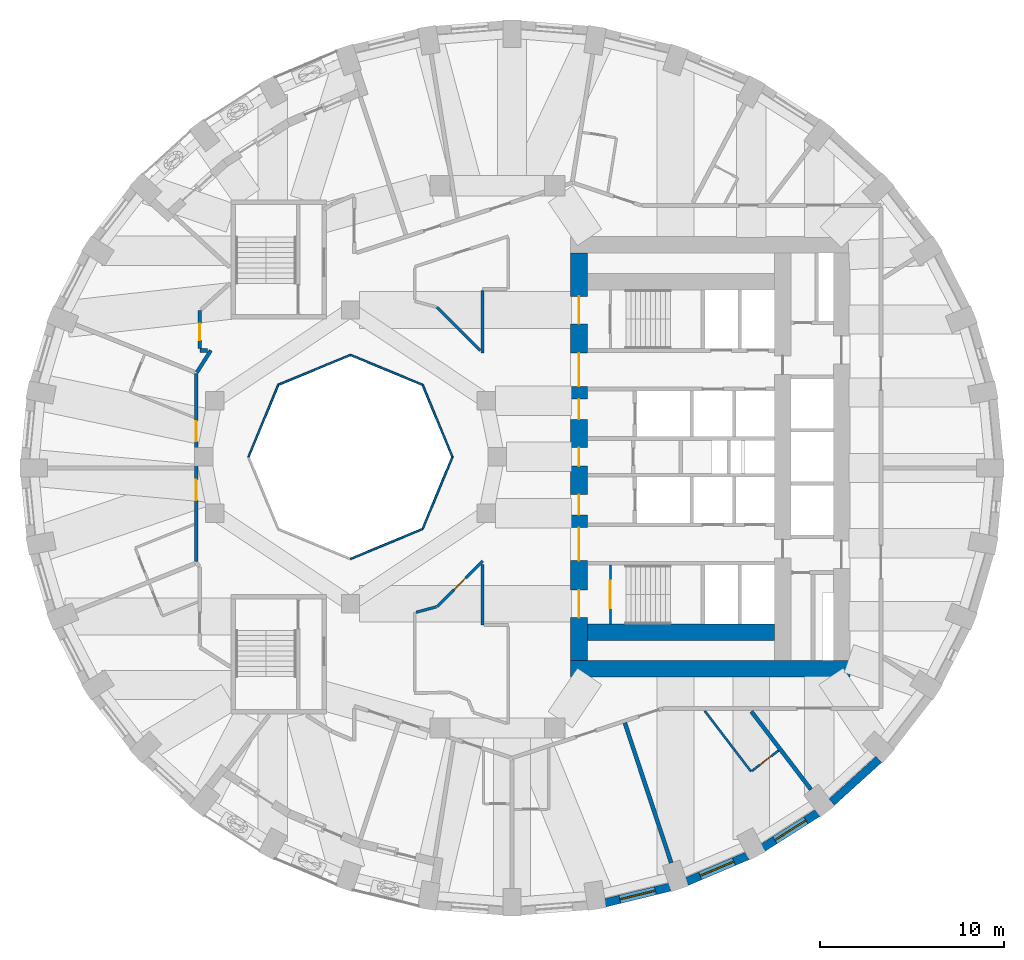
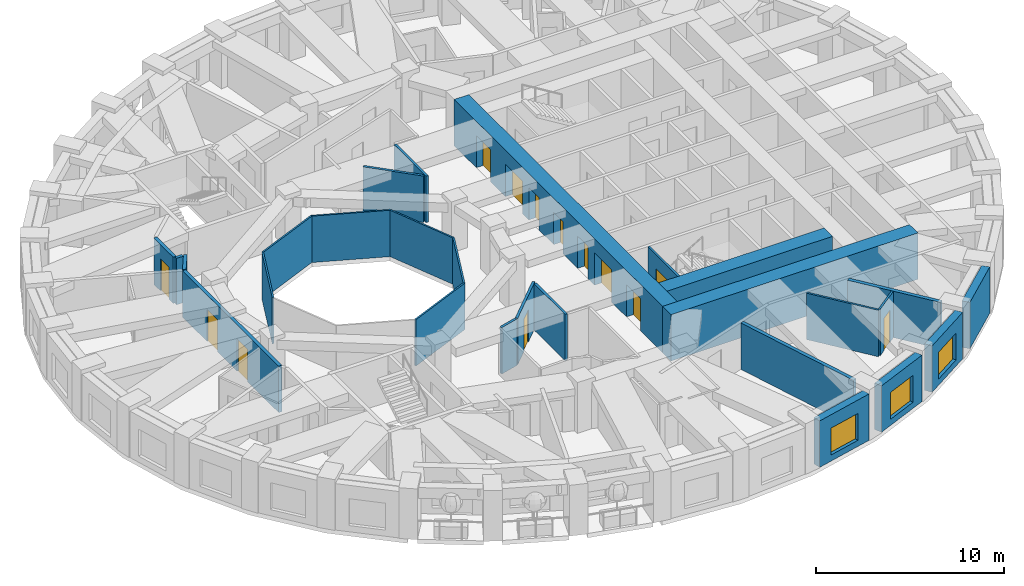
# One storey, part 5 of 12: 27 walls, 13 doors, 3 windows, 16 openings.
"""IFC4 building model written with IfcOpenShell, lengths in metres."""

from ifc_helpers import new_model, si_unit, direction, frame, frame_2d, origin, place, context, subcontext, project, spatial, rectangle, extrude, material, layer, layer_set, type_object, element, fill, save


model = new_model("IFC4")

# Units and contexts
model_context = context("Model", 3, precision=1e-05, world=origin(), true_north=direction((0.0, 1.0)))
body_context = subcontext(model_context, "Body", "Model", "MODEL_VIEW")
ifc_project = project(units=[si_unit("LENGTHUNIT", "METRE"), si_unit("AREAUNIT", "SQUARE_METRE"), si_unit("VOLUMEUNIT", "CUBIC_METRE"), si_unit("PLANEANGLEUNIT", "RADIAN"), si_unit("MASSUNIT", "GRAM", prefix="KILO")], contexts=[model_context])

# Site, building, storey
site_placement = place(None, origin())
site = spatial("IfcSite", under=ifc_project, at=site_placement, CompositionType="ELEMENT")
building_placement = place(site_placement, origin())
building = spatial("IfcBuilding", under=site, at=building_placement, Name="Taillehof Tower", CompositionType="ELEMENT")
storey_placement = place(building_placement, frame((0.0, 0.0, 118.60009765625)))
storey = spatial("IfcBuildingStorey", under=building, at=storey_placement, Name="L33", CompositionType="ELEMENT", Elevation=118.60009765625)

# Walls
ifc_material_1 = material(Name="Fire-resisting glass in steel frame", Category="steel")
ifc_layer_1 = layer(ifc_material_1, 0.10009765625)
ifc_layer_set_1 = layer_set([ifc_layer_1], Name="Atrium fire-resisting screen EI 60 100")
wall_type_1 = type_object("IfcWallType", Name="Atrium fire-resisting screen EI 60 100", PredefinedType="PARTITIONING", material=ifc_layer_set_1)
for number, where, z_axis, x_axis, name in (
    (1, (-2.44580078125, 0.0, 0.0), (0.0, 0.0, 1.0), (-0.382730523909, -0.923860025149, 0.0), "Atrium screen"),
    (2, (-4.07275390625, -3.92724609375, 0.0), (0.0, 0.0, 1.0), (-0.923860025149, -0.382730523909, 0.0), "Atrium screen"),
    (3, (-13.55419921875, 0.0, 0.0), (0.0, 0.0, 1.0), (0.382730523909, 0.923860025149, 0.0), "Atrium screen"),
    (4, (-11.92724609375, 3.92724609375, 0.0), (0.0, 0.0, 1.0), (0.923860025149, 0.382730523909, 0.0), "Atrium screen"),
    (5, (-8.0, 5.55419921875, 0.0), (0.0, 0.0, 1.0), (0.923860025149, -0.382730523909, 0.0), "Atrium screen"),
    (6, (-4.07275390625, 3.92724609375, 0.0), (0.0, 0.0, 1.0), (0.382730523909, -0.923860025149, 0.0), "Atrium screen"),
):
    element("IfcWall", number, at=place(storey_placement, frame(where, z_axis=z_axis, x_axis=x_axis)), inside=storey, type_object=wall_type_1, Name=name, PredefinedType="PARTITIONING", context=body_context, shape_type="SweptSolid", body=[
        extrude(rectangle(XDim=4.2509765625, YDim=0.10009765625, at=frame_2d((2.12548828125, 0.0))), origin(), (0.0, 0.0, 1.0), 3.02001953125),
    ])

# Wall, opening, window
ifc_material_2 = material(Name="Brick masonry", Category="masonry")
ifc_layer_2 = layer(ifc_material_2, 0.449951171875)
ifc_layer_set_2 = layer_set([ifc_layer_2], Name="Brick infill wall 450")
wall_type_2 = type_object("IfcWallType", Name="Brick infill wall 450", PredefinedType="SOLIDWALL", material=ifc_layer_set_2)
wall_1_placement = place(storey_placement, frame((5.87451171875, -24.29443359375, 0.0), z_axis=(0.0, 0.0, 1.0), x_axis=(0.971667603162, 0.236351579148, 0.0)))
wall_1 = element("IfcWall", 7, at=wall_1_placement, inside=storey, type_object=wall_type_2, Name="Brick wall L33 bay 29", PredefinedType="SOLIDWALL", context=body_context, shape_type="SweptSolid", body=[
    extrude(rectangle(XDim=3.635009765625, YDim=0.449951171875, at=frame_2d((1.8173828125, 0.0))), origin(), (0.0, 0.0, 1.0), 3.02001953125),
])
opening_1_placement = place(wall_1_placement, frame((0.8173828125, 0.0, 0.39990234375)))
opening_1 = element("IfcOpeningElement", 8, at=opening_1_placement, cuts=wall_1, Name="Opening W2", PredefinedType="OPENING", context=body_context, shape_type="SweptSolid", body=[
    extrude(rectangle(XDim=2.0, YDim=1.75, at=frame_2d((1.0, 0.875))), frame((0.0, 0.23486328125, 0.0), z_axis=(0.0, -1.0, 0.0), x_axis=(1.0, 0.0, 0.0)), (0.0, 0.0, 1.0), 0.469970703125),
])
ifc_material_3 = material(Name="Aluminium window frame with clear double glazing", Category="aluminium")
window_type = type_object("IfcWindowType", Name="Deep-set window 2000x1750", PartitioningType="SINGLE_PANEL", PredefinedType="WINDOW", material=ifc_material_3)
window_1_placement = place(opening_1_placement, origin())
window_1 = element("IfcWindow", 9, at=window_1_placement, inside=storey, type_object=window_type, Name="W2", OverallHeight=1.75, OverallWidth=2.0, PartitioningType="SINGLE_PANEL", PredefinedType="WINDOW", context=body_context, shape_type="SweptSolid", body=[
    extrude(rectangle(XDim=2.0, YDim=1.75, at=frame_2d((1.0, 0.875))), frame((0.0, 0.034912109375, 0.0), z_axis=(0.0, -1.0, 0.0), x_axis=(1.0, 0.0, 0.0)), (0.0, 0.0, 1.0), 0.06005859375),
])
fill(opening_1, window_1)

wall_2_placement = place(storey_placement, frame((10.318115234375, -23.133544921875, 0.0), z_axis=(0.0, 0.0, 1.0), x_axis=(0.920869643542, 0.389870619055, 0.0)))
wall_2 = element("IfcWall", 10, at=wall_2_placement, inside=storey, type_object=wall_type_2, Name="Brick wall L33 bay 30", PredefinedType="SOLIDWALL", context=body_context, shape_type="SweptSolid", body=[
    extrude(rectangle(XDim=3.59130859375, YDim=0.449951171875, at=frame_2d((1.795654296875, 0.0))), origin(), (0.0, 0.0, 1.0), 3.02001953125),
])
opening_2_placement = place(wall_2_placement, frame((0.795654296875, 0.0, 0.39990234375)))
opening_2 = element("IfcOpeningElement", 11, at=opening_2_placement, cuts=wall_2, Name="Opening W2", PredefinedType="OPENING", context=body_context, shape_type="SweptSolid", body=[
    extrude(rectangle(XDim=2.0, YDim=1.75, at=frame_2d((1.0, 0.875))), frame((0.0, 0.23486328125, 0.0), z_axis=(0.0, -1.0, 0.0), x_axis=(1.0, 0.0, 0.0)), (0.0, 0.0, 1.0), 0.469970703125),
])
window_2_placement = place(opening_2_placement, origin())
window_2 = element("IfcWindow", 12, at=window_2_placement, inside=storey, type_object=window_type, Name="W2", OverallHeight=1.75, OverallWidth=2.0, PartitioningType="SINGLE_PANEL", PredefinedType="WINDOW", context=body_context, shape_type="SweptSolid", body=[
    extrude(rectangle(XDim=2.0, YDim=1.75, at=frame_2d((1.0, 0.875))), frame((0.0, 0.034912109375, 0.0), z_axis=(0.0, -1.0, 0.0), x_axis=(1.0, 0.0, 0.0)), (0.0, 0.0, 1.0), 0.06005859375),
])
fill(opening_2, window_2)

wall_3_placement = place(storey_placement, frame((14.475341796875, -21.287109375, 0.0), z_axis=(0.0, 0.0, 1.0), x_axis=(0.843911841423, 0.536481876587, 0.0)))
wall_3 = element("IfcWall", 13, at=wall_3_placement, inside=storey, type_object=wall_type_2, Name="Brick wall L33 bay 31", PredefinedType="SOLIDWALL", context=body_context, shape_type="SweptSolid", body=[
    extrude(rectangle(XDim=3.5322265625, YDim=0.449951171875, at=frame_2d((1.76611328125, 0.0))), origin(), (0.0, 0.0, 1.0), 3.02001953125),
])
opening_3_placement = place(wall_3_placement, frame((0.76611328125, 0.0, 0.39990234375)))
opening_3 = element("IfcOpeningElement", 14, at=opening_3_placement, cuts=wall_3, Name="Opening W2", PredefinedType="OPENING", context=body_context, shape_type="SweptSolid", body=[
    extrude(rectangle(XDim=2.0, YDim=1.75, at=frame_2d((1.0, 0.875))), frame((0.0, 0.23486328125, 0.0), z_axis=(0.0, -1.0, 0.0), x_axis=(1.0, 0.0, 0.0)), (0.0, 0.0, 1.0), 0.469970703125),
])
window_3_placement = place(opening_3_placement, origin())
window_3 = element("IfcWindow", 15, at=window_3_placement, inside=storey, type_object=window_type, Name="W2", OverallHeight=1.75, OverallWidth=2.0, PartitioningType="SINGLE_PANEL", PredefinedType="WINDOW", context=body_context, shape_type="SweptSolid", body=[
    extrude(rectangle(XDim=2.0, YDim=1.75, at=frame_2d((1.0, 0.875))), frame((0.0, 0.034912109375, 0.0), z_axis=(0.0, -1.0, 0.0), x_axis=(1.0, 0.0, 0.0)), (0.0, 0.0, 1.0), 0.06005859375),
])
fill(opening_3, window_3)

# Wall
wall_4_placement = place(storey_placement, frame((18.219482421875, -18.8095703125, 0.0), z_axis=(0.0, 0.0, 1.0), x_axis=(0.740364106106, 0.672206062446, 0.0)))
element("IfcWall", 16, at=wall_4_placement, inside=storey, type_object=wall_type_2, Name="Brick wall L33 bay 32", PredefinedType="SOLIDWALL", context=body_context, shape_type="SweptSolid", body=[
    extrude(rectangle(XDim=3.4638671875, YDim=0.449951171875, at=frame_2d((1.73193359375, 0.0))), origin(), (0.0, 0.0, 1.0), 3.02001953125),
])

# Wall, openings, doors
ifc_material_4 = material(Name="Gypsum board on steel studs, two layers each side", Category="steel")
ifc_layer_3 = layer(ifc_material_4, 0.199951171875)
ifc_layer_set_3 = layer_set([ifc_layer_3], Name="Compartment wall corridor 200")
wall_type_3 = type_object("IfcWallType", Name="Compartment wall corridor 200", PredefinedType="PARTITIONING", material=ifc_layer_set_3)
wall_5_placement = place(storey_placement, frame((-16.398193359375, -5.69287109375, 0.0), z_axis=(0.0, 0.0, 1.0), x_axis=(0.0, 1.0, 0.0)))
wall_5 = element("IfcWall", 17, at=wall_5_placement, inside=storey, type_object=wall_type_3, Name="Compartment wall", PredefinedType="PARTITIONING", context=body_context, shape_type="SweptSolid", body=[
    extrude(rectangle(XDim=10.245849609375, YDim=0.199951171875, at=frame_2d((5.123046875, 0.0))), origin(), (0.0, 0.0, 1.0), 3.02001953125),
])
opening_4_placement = place(wall_5_placement, frame((6.53857421875, 0.0, 0.0)))
opening_4 = element("IfcOpeningElement", 18, at=opening_4_placement, cuts=wall_5, Name="Opening D3348", PredefinedType="OPENING", context=body_context, shape_type="SweptSolid", body=[
    extrude(rectangle(XDim=1.10009765625, YDim=2.10009765625, at=frame_2d((0.550048828125, 1.050048828125))), frame((0.0, 0.10986328125, 0.0), z_axis=(0.0, -1.0, 0.0), x_axis=(1.0, 0.0, 0.0)), (0.0, 0.0, 1.0), 0.219970703125),
])
opening_5_placement = place(wall_5_placement, frame((3.33740234375, 0.0, 0.0)))
opening_5 = element("IfcOpeningElement", 19, at=opening_5_placement, cuts=wall_5, Name="Opening D3350", PredefinedType="OPENING", context=body_context, shape_type="SweptSolid", body=[
    extrude(rectangle(XDim=1.10009765625, YDim=2.10009765625, at=frame_2d((0.550048828125, 1.050048828125))), frame((0.0, 0.10986328125, 0.0), z_axis=(0.0, -1.0, 0.0), x_axis=(1.0, 0.0, 0.0)), (0.0, 0.0, 1.0), 0.219970703125),
])
ifc_material_5 = material(Name="Timber door leaf in steel frame", Category="steel")
door_type_1 = type_object("IfcDoorType", Name="Accessible guest room door EI 30 1100 x 2100", OperationType="SINGLE_SWING_LEFT", PredefinedType="DOOR", material=ifc_material_5)
door_1_placement = place(opening_4_placement, origin())
door_1 = element("IfcDoor", 20, at=door_1_placement, inside=storey, type_object=door_type_1, Name="D3348", OperationType="SINGLE_SWING_RIGHT", OverallHeight=2.10009765625, OverallWidth=1.10009765625, PredefinedType="DOOR", context=body_context, shape_type="SweptSolid", body=[
    extrude(rectangle(XDim=1.10009765625, YDim=2.10009765625, at=frame_2d((0.550048828125, 1.050048828125))), frame((0.0, 0.02490234375, 0.0), z_axis=(0.0, -1.0, 0.0), x_axis=(1.0, 0.0, 0.0)), (0.0, 0.0, 1.0), 0.050048828125),
])
fill(opening_4, door_1)
ifc_material_6 = material(Name="Timber door leaf in steel frame", Category="steel")
door_type_2 = type_object("IfcDoorType", Name="Suite entrance door EI 30 1100 x 2100", OperationType="SINGLE_SWING_LEFT", PredefinedType="DOOR", material=ifc_material_6)
door_2_placement = place(opening_5_placement, origin())
door_2 = element("IfcDoor", 21, at=door_2_placement, inside=storey, type_object=door_type_2, Name="D3350", OperationType="SINGLE_SWING_RIGHT", OverallHeight=2.10009765625, OverallWidth=1.10009765625, PredefinedType="DOOR", context=body_context, shape_type="SweptSolid", body=[
    extrude(rectangle(XDim=1.10009765625, YDim=2.10009765625, at=frame_2d((0.550048828125, 1.050048828125))), frame((0.0, 0.02490234375, 0.0), z_axis=(0.0, -1.0, 0.0), x_axis=(1.0, 0.0, 0.0)), (0.0, 0.0, 1.0), 0.050048828125),
])
fill(opening_5, door_2)

# Walls
wall_6_placement = place(storey_placement, frame((-16.365966796875, 4.603515625, 0.0), z_axis=(0.0, 0.0, 1.0), x_axis=(0.536775234189, 0.843725279911, 0.0)))
element("IfcWall", 22, at=wall_6_placement, inside=storey, type_object=wall_type_3, Name="Compartment wall", PredefinedType="PARTITIONING", context=body_context, shape_type="SweptSolid", body=[
    extrude(rectangle(XDim=1.418212890625, YDim=0.199951171875, at=frame_2d((0.708984375, 0.0))), origin(), (0.0, 0.0, 1.0), 3.02001953125),
])
wall_7_placement = place(storey_placement, frame((-15.784912109375, 5.800048828125, 0.0), z_axis=(0.0, 0.0, 1.0), x_axis=(-1.0, 0.0, 0.0)))
element("IfcWall", 23, at=wall_7_placement, inside=storey, type_object=wall_type_3, Name="Compartment wall", PredefinedType="PARTITIONING", context=body_context, shape_type="SweptSolid", body=[
    extrude(rectangle(XDim=0.4150390625, YDim=0.199951171875, at=frame_2d((0.20751953125, 0.0))), origin(), (0.0, 0.0, 1.0), 3.02001953125),
])

# Wall, opening, door
wall_8_placement = place(storey_placement, frame((-16.199951171875, 5.900146484375, 0.0), z_axis=(0.0, 0.0, 1.0), x_axis=(0.0, 1.0, 0.0)))
wall_8 = element("IfcWall", 24, at=wall_8_placement, inside=storey, type_object=wall_type_3, Name="Compartment wall", PredefinedType="PARTITIONING", context=body_context, shape_type="SweptSolid", body=[
    extrude(rectangle(XDim=2.064697265625, YDim=0.199951171875, at=frame_2d((1.0322265625, 0.0))), origin(), (0.0, 0.0, 1.0), 3.02001953125),
])
opening_6_placement = place(wall_8_placement, frame((0.461669921875, 0.0, 0.0)))
opening_6 = element("IfcOpeningElement", 25, at=opening_6_placement, cuts=wall_8, Name="Opening D3347", PredefinedType="OPENING", context=body_context, shape_type="SweptSolid", body=[
    extrude(rectangle(XDim=0.89990234375, YDim=2.10009765625, at=frame_2d((0.449951171875, 1.050048828125))), frame((0.0, 0.10986328125, 0.0), z_axis=(0.0, -1.0, 0.0), x_axis=(1.0, 0.0, 0.0)), (0.0, 0.0, 1.0), 0.219970703125),
])
ifc_material_7 = material(Name="Timber door leaf in steel frame", Category="steel")
door_type_3 = type_object("IfcDoorType", Name="Service room door EI 30 900 x 2100", OperationType="SINGLE_SWING_LEFT", PredefinedType="DOOR", material=ifc_material_7)
door_3_placement = place(opening_6_placement, origin())
door_3 = element("IfcDoor", 26, at=door_3_placement, inside=storey, type_object=door_type_3, Name="D3347", OperationType="SINGLE_SWING_LEFT", OverallHeight=2.10009765625, OverallWidth=0.89990234375, PredefinedType="DOOR", context=body_context, shape_type="SweptSolid", body=[
    extrude(rectangle(XDim=0.89990234375, YDim=2.10009765625, at=frame_2d((0.449951171875, 1.050048828125))), frame((0.0, 0.02490234375, 0.0), z_axis=(0.0, -1.0, 0.0), x_axis=(1.0, 0.0, 0.0)), (0.0, 0.0, 1.0), 0.050048828125),
])
fill(opening_6, door_3)

# Walls
ifc_material_8 = material(Name="Gypsum board on double steel studs with mineral wool", Category="steel")
ifc_layer_4 = layer(ifc_material_8, 0.219970703125)
ifc_layer_set_4 = layer_set([ifc_layer_4], Name="Compartment wall guest room 220")
wall_type_4 = type_object("IfcWallType", Name="Compartment wall guest room 220", PredefinedType="PARTITIONING", material=ifc_layer_set_4)
wall_9_placement = place(storey_placement, frame((9.4736328125, -22.11181640625, 0.0), z_axis=(0.0, 0.0, 1.0), x_axis=(-0.314531362585, 0.949247081613, 0.0)))
element("IfcWall", 27, at=wall_9_placement, inside=storey, type_object=wall_type_4, Name="Compartment wall", PredefinedType="PARTITIONING", context=body_context, shape_type="SweptSolid", body=[
    extrude(rectangle(XDim=8.032958984375, YDim=0.219970703125, at=frame_2d((4.0166015625, 0.0))), origin(), (0.0, 0.0, 1.0), 3.02001953125),
])
wall_10_placement = place(storey_placement, frame((17.08935546875, -18.120849609375, 0.0), z_axis=(0.0, 0.0, 1.0), x_axis=(-0.607049146133, 0.794664290238, 0.0)))
element("IfcWall", 28, at=wall_10_placement, inside=storey, type_object=wall_type_4, Name="Compartment wall", PredefinedType="PARTITIONING", context=body_context, shape_type="SweptSolid", body=[
    extrude(rectangle(XDim=5.357421875, YDim=0.219970703125, at=frame_2d((2.6787109375, 0.0))), origin(), (0.0, 0.0, 1.0), 3.02001953125),
])
ifc_material_9 = material(Name="Gypsum board on steel studs, two layers each side", Category="steel")
ifc_layer_5 = layer(ifc_material_9, 0.14990234375)
ifc_layer_set_5 = layer_set([ifc_layer_5], Name="Compartment wall service room 150")
wall_type_5 = type_object("IfcWallType", Name="Compartment wall service room 150", PredefinedType="PARTITIONING", material=ifc_layer_set_5)
wall_11_placement = place(storey_placement, frame((-0.800048828125, 9.06982421875, 0.0), z_axis=(0.0, 0.0, 1.0), x_axis=(0.0, -1.0, 0.0)))
element("IfcWall", 29, at=wall_11_placement, inside=storey, type_object=wall_type_5, Name="Compartment wall", PredefinedType="PARTITIONING", context=body_context, shape_type="SweptSolid", body=[
    extrude(rectangle(XDim=3.400390625, YDim=0.14990234375, at=frame_2d((1.7001953125, 0.0))), origin(), (0.0, 0.0, 1.0), 3.02001953125),
])
wall_12_placement = place(storey_placement, frame((-0.927490234375, 5.796875, 0.0), z_axis=(0.0, 0.0, 1.0), x_axis=(-0.707106781187, 0.707106781187, 0.0)))
element("IfcWall", 30, at=wall_12_placement, inside=storey, type_object=wall_type_5, Name="Compartment wall", PredefinedType="PARTITIONING", context=body_context, shape_type="SweptSolid", body=[
    extrude(rectangle(XDim=3.340576171875, YDim=0.14990234375, at=frame_2d((1.67041015625, 0.0))), origin(), (0.0, 0.0, 1.0), 3.02001953125),
])

# Wall, opening, door
wall_13_placement = place(storey_placement, frame((-3.28955078125, -8.158935546875, 0.0), z_axis=(0.0, 0.0, 1.0), x_axis=(0.707106781187, 0.707106781187, 0.0)))
wall_13 = element("IfcWall", 31, at=wall_13_placement, inside=storey, type_object=wall_type_5, Name="Compartment wall", PredefinedType="PARTITIONING", context=body_context, shape_type="SweptSolid", body=[
    extrude(rectangle(XDim=3.520751953125, YDim=0.14990234375, at=frame_2d((1.76025390625, 0.0))), origin(), (0.0, 0.0, 1.0), 3.02001953125),
])
opening_7_placement = place(wall_13_placement, frame((1.310302734375, 0.0, 0.0)))
opening_7 = element("IfcOpeningElement", 32, at=opening_7_placement, cuts=wall_13, Name="Opening D3367", PredefinedType="OPENING", context=body_context, shape_type="SweptSolid", body=[
    extrude(rectangle(XDim=0.89990234375, YDim=2.10009765625, at=frame_2d((0.449951171875, 1.050048828125))), frame((0.0, 0.0849609375, 0.0), z_axis=(0.0, -1.0, 0.0), x_axis=(1.0, 0.0, 0.0)), (0.0, 0.0, 1.0), 0.169921875),
])
door_4_placement = place(opening_7_placement, origin())
door_4 = element("IfcDoor", 33, at=door_4_placement, inside=storey, type_object=door_type_3, Name="D3367", OperationType="SINGLE_SWING_LEFT", OverallHeight=2.10009765625, OverallWidth=0.89990234375, PredefinedType="DOOR", context=body_context, shape_type="SweptSolid", body=[
    extrude(rectangle(XDim=0.89990234375, YDim=2.10009765625, at=frame_2d((0.449951171875, 1.050048828125))), frame((0.0, 0.02490234375, 0.0), z_axis=(0.0, -1.0, 0.0), x_axis=(1.0, 0.0, 0.0)), (0.0, 0.0, 1.0), 0.050048828125),
])
fill(opening_7, door_4)

# Walls
wall_14_placement = place(storey_placement, frame((-0.800048828125, -5.849609375, 0.0), z_axis=(0.0, 0.0, 1.0), x_axis=(0.0, -1.0, 0.0)))
element("IfcWall", 34, at=wall_14_placement, inside=storey, type_object=wall_type_5, Name="Compartment wall", PredefinedType="PARTITIONING", context=body_context, shape_type="SweptSolid", body=[
    extrude(rectangle(XDim=3.30029296875, YDim=0.14990234375, at=frame_2d((1.650146484375, 0.0))), origin(), (0.0, 0.0, 1.0), 3.02001953125),
])
wall_15_placement = place(storey_placement, frame((-4.4228515625, -8.462646484375, 0.0), z_axis=(0.0, 0.0, 1.0), x_axis=(0.965898042479, 0.258922713439, 0.0)))
element("IfcWall", 35, at=wall_15_placement, inside=storey, type_object=wall_type_5, Name="Compartment wall", PredefinedType="PARTITIONING", context=body_context, shape_type="SweptSolid", body=[
    extrude(rectangle(XDim=1.13330078125, YDim=0.14990234375, at=frame_2d((0.566650390625, 0.0))), origin(), (0.0, 0.0, 1.0), 3.02001953125),
])

# Wall, openings, doors
ifc_material_10 = material(Name="Concrete C80/95", Category="concrete")
ifc_layer_6 = layer(ifc_material_10, 0.89990234375)
ifc_layer_set_6 = layer_set([ifc_layer_6], Name="Core wall C80/95 900")
wall_type_6 = type_object("IfcWallType", Name="Core wall C80/95 900", PredefinedType="SHEAR", material=ifc_layer_set_6)
wall_16_placement = place(storey_placement, frame((4.449951171875, -11.10009765625, 0.0), z_axis=(0.0, 0.0, 1.0), x_axis=(0.0, 1.0, 0.0)))
wall_16 = element("IfcWall", 36, at=wall_16_placement, inside=storey, type_object=wall_type_6, Name="Core wall CW01", PredefinedType="SHEAR", context=body_context, shape_type="SweptSolid", body=[
    extrude(rectangle(XDim=22.2001953125, YDim=0.89990234375, at=frame_2d((11.10009765625, 0.0))), origin(), (0.0, 0.0, 1.0), 3.02001953125),
])
opening_8_placement = place(wall_16_placement, frame((2.35009765625, 0.0, 0.0)))
opening_8 = element("IfcOpeningElement", 37, at=opening_8_placement, cuts=wall_16, Name="Opening D3301", PredefinedType="OPENING", context=body_context, shape_type="SweptSolid", body=[
    extrude(rectangle(XDim=1.5, YDim=2.10009765625, at=frame_2d((0.75, 1.050048828125))), frame((0.0, 0.4599609375, 0.0), z_axis=(0.0, -1.0, 0.0), x_axis=(1.0, 0.0, 0.0)), (0.0, 0.0, 1.0), 0.919921875),
])
opening_9_placement = place(wall_16_placement, frame((5.449951171875, 0.0, 0.0)))
opening_9 = element("IfcOpeningElement", 38, at=opening_9_placement, cuts=wall_16, Name="Opening D3302", PredefinedType="OPENING", context=body_context, shape_type="SweptSolid", body=[
    extrude(rectangle(XDim=1.800048828125, YDim=2.10009765625, at=frame_2d((0.89990234375, 1.050048828125))), frame((0.0, 0.4599609375, 0.0), z_axis=(0.0, -1.0, 0.0), x_axis=(1.0, 0.0, 0.0)), (0.0, 0.0, 1.0), 0.919921875),
])
opening_10_placement = place(wall_16_placement, frame((7.949951171875, 0.0, 0.0)))
opening_10 = element("IfcOpeningElement", 39, at=opening_10_placement, cuts=wall_16, Name="Opening D3303", PredefinedType="OPENING", context=body_context, shape_type="SweptSolid", body=[
    extrude(rectangle(XDim=1.10009765625, YDim=2.10009765625, at=frame_2d((0.550048828125, 1.050048828125))), frame((0.0, 0.4599609375, 0.0), z_axis=(0.0, -1.0, 0.0), x_axis=(1.0, 0.0, 0.0)), (0.0, 0.0, 1.0), 0.919921875),
])
opening_11_placement = place(wall_16_placement, frame((10.60009765625, 0.0, 0.0)))
opening_11 = element("IfcOpeningElement", 40, at=opening_11_placement, cuts=wall_16, Name="Opening D3304", PredefinedType="OPENING", context=body_context, shape_type="SweptSolid", body=[
    extrude(rectangle(XDim=1.0, YDim=2.10009765625, at=frame_2d((0.5, 1.050048828125))), frame((0.0, 0.4599609375, 0.0), z_axis=(0.0, -1.0, 0.0), x_axis=(1.0, 0.0, 0.0)), (0.0, 0.0, 1.0), 0.919921875),
])
opening_12_placement = place(wall_16_placement, frame((13.14990234375, 0.0, 0.0)))
opening_12 = element("IfcOpeningElement", 41, at=opening_12_placement, cuts=wall_16, Name="Opening D3305", PredefinedType="OPENING", context=body_context, shape_type="SweptSolid", body=[
    extrude(rectangle(XDim=1.10009765625, YDim=2.10009765625, at=frame_2d((0.550048828125, 1.050048828125))), frame((0.0, 0.4599609375, 0.0), z_axis=(0.0, -1.0, 0.0), x_axis=(1.0, 0.0, 0.0)), (0.0, 0.0, 1.0), 0.919921875),
])
opening_13_placement = place(wall_16_placement, frame((14.949951171875, 0.0, 0.0)))
opening_13 = element("IfcOpeningElement", 42, at=opening_13_placement, cuts=wall_16, Name="Opening D3306", PredefinedType="OPENING", context=body_context, shape_type="SweptSolid", body=[
    extrude(rectangle(XDim=1.800048828125, YDim=2.10009765625, at=frame_2d((0.89990234375, 1.050048828125))), frame((0.0, 0.4599609375, 0.0), z_axis=(0.0, -1.0, 0.0), x_axis=(1.0, 0.0, 0.0)), (0.0, 0.0, 1.0), 0.919921875),
])
opening_14_placement = place(wall_16_placement, frame((18.35009765625, 0.0, 0.0)))
opening_14 = element("IfcOpeningElement", 43, at=opening_14_placement, cuts=wall_16, Name="Opening D3307", PredefinedType="OPENING", context=body_context, shape_type="SweptSolid", body=[
    extrude(rectangle(XDim=1.5, YDim=2.10009765625, at=frame_2d((0.75, 1.050048828125))), frame((0.0, 0.4599609375, 0.0), z_axis=(0.0, -1.0, 0.0), x_axis=(1.0, 0.0, 0.0)), (0.0, 0.0, 1.0), 0.919921875),
])
ifc_material_11 = material(Name="Steel-faced fire door", Category="steel")
door_type_4 = type_object("IfcDoorType", Name="Firefighting lobby door 1100x2100", OperationType="SINGLE_SWING_RIGHT", PredefinedType="DOOR", material=ifc_material_11)
door_5_placement = place(opening_10_placement, origin())
door_5 = element("IfcDoor", 44, at=door_5_placement, inside=storey, type_object=door_type_4, Name="Firefighting lobby door FFL-S", OperationType="SINGLE_SWING_RIGHT", OverallHeight=2.10009765625, OverallWidth=1.10009765625, PredefinedType="DOOR", context=body_context, shape_type="SweptSolid", body=[
    extrude(rectangle(XDim=1.10009765625, YDim=2.10009765625, at=frame_2d((0.550048828125, 1.050048828125))), frame((0.0, 0.02490234375, 0.0), z_axis=(0.0, -1.0, 0.0), x_axis=(1.0, 0.0, 0.0)), (0.0, 0.0, 1.0), 0.050048828125),
])
fill(opening_10, door_5)
door_6_placement = place(opening_12_placement, origin())
door_6 = element("IfcDoor", 45, at=door_6_placement, inside=storey, type_object=door_type_4, Name="Firefighting lobby door FFL-N", OperationType="SINGLE_SWING_LEFT", OverallHeight=2.10009765625, OverallWidth=1.10009765625, PredefinedType="DOOR", context=body_context, shape_type="SweptSolid", body=[
    extrude(rectangle(XDim=1.10009765625, YDim=2.10009765625, at=frame_2d((0.550048828125, 1.050048828125))), frame((0.0, 0.02490234375, 0.0), z_axis=(0.0, -1.0, 0.0), x_axis=(1.0, 0.0, 0.0)), (0.0, 0.0, 1.0), 0.050048828125),
])
fill(opening_12, door_6)
ifc_material_12 = material(Name="Steel-faced fire door", Category="steel")
door_type_5 = type_object("IfcDoorType", Name="Lift lobby door 1800x2100", OperationType="DOUBLE_DOOR_SINGLE_SWING", PredefinedType="DOOR", material=ifc_material_12)
door_7_placement = place(opening_9_placement, origin())
door_7 = element("IfcDoor", 46, at=door_7_placement, inside=storey, type_object=door_type_5, Name="Lift lobby door LL-S", OperationType="DOUBLE_DOOR_SINGLE_SWING", OverallHeight=2.10009765625, OverallWidth=1.800048828125, PredefinedType="DOOR", context=body_context, shape_type="SweptSolid", body=[
    extrude(rectangle(XDim=1.800048828125, YDim=2.10009765625, at=frame_2d((0.89990234375, 1.050048828125))), frame((0.0, 0.02490234375, 0.0), z_axis=(0.0, -1.0, 0.0), x_axis=(1.0, 0.0, 0.0)), (0.0, 0.0, 1.0), 0.050048828125),
])
fill(opening_9, door_7)
door_8_placement = place(opening_13_placement, origin())
door_8 = element("IfcDoor", 47, at=door_8_placement, inside=storey, type_object=door_type_5, Name="Lift lobby door LL-N", OperationType="DOUBLE_DOOR_SINGLE_SWING", OverallHeight=2.10009765625, OverallWidth=1.800048828125, PredefinedType="DOOR", context=body_context, shape_type="SweptSolid", body=[
    extrude(rectangle(XDim=1.800048828125, YDim=2.10009765625, at=frame_2d((0.89990234375, 1.050048828125))), frame((0.0, 0.02490234375, 0.0), z_axis=(0.0, -1.0, 0.0), x_axis=(1.0, 0.0, 0.0)), (0.0, 0.0, 1.0), 0.050048828125),
])
fill(opening_13, door_8)
ifc_material_13 = material(Name="Steel-faced fire door", Category="steel")
door_type_6 = type_object("IfcDoorType", Name="Service door 1000x2100", OperationType="SINGLE_SWING_RIGHT", PredefinedType="DOOR", material=ifc_material_13)
door_9_placement = place(opening_11_placement, origin())
door_9 = element("IfcDoor", 48, at=door_9_placement, inside=storey, type_object=door_type_6, Name="Service door SV", OperationType="SINGLE_SWING_RIGHT", OverallHeight=2.10009765625, OverallWidth=1.0, PredefinedType="DOOR", context=body_context, shape_type="SweptSolid", body=[
    extrude(rectangle(XDim=1.0, YDim=2.10009765625, at=frame_2d((0.5, 1.050048828125))), frame((0.0, 0.02490234375, 0.0), z_axis=(0.0, -1.0, 0.0), x_axis=(1.0, 0.0, 0.0)), (0.0, 0.0, 1.0), 0.050048828125),
])
fill(opening_11, door_9)
ifc_material_14 = material(Name="Steel-faced fire door", Category="steel")
door_type_7 = type_object("IfcDoorType", Name="Stair door 1500x2100", OperationType="DOUBLE_DOOR_SINGLE_SWING", PredefinedType="DOOR", material=ifc_material_14)
door_10_placement = place(opening_8_placement, origin())
door_10 = element("IfcDoor", 49, at=door_10_placement, inside=storey, type_object=door_type_7, Name="Stair door S2", OperationType="DOUBLE_DOOR_SINGLE_SWING", OverallHeight=2.10009765625, OverallWidth=1.5, PredefinedType="DOOR", context=body_context, shape_type="SweptSolid", body=[
    extrude(rectangle(XDim=1.5, YDim=2.10009765625, at=frame_2d((0.75, 1.050048828125))), frame((0.0, 0.02490234375, 0.0), z_axis=(0.0, -1.0, 0.0), x_axis=(1.0, 0.0, 0.0)), (0.0, 0.0, 1.0), 0.050048828125),
])
fill(opening_8, door_10)
door_11_placement = place(opening_14_placement, origin())
door_11 = element("IfcDoor", 50, at=door_11_placement, inside=storey, type_object=door_type_7, Name="Stair door S1", OperationType="DOUBLE_DOOR_SINGLE_SWING", OverallHeight=2.10009765625, OverallWidth=1.5, PredefinedType="DOOR", context=body_context, shape_type="SweptSolid", body=[
    extrude(rectangle(XDim=1.5, YDim=2.10009765625, at=frame_2d((0.75, 1.050048828125))), frame((0.0, 0.02490234375, 0.0), z_axis=(0.0, -1.0, 0.0), x_axis=(1.0, 0.0, 0.0)), (0.0, 0.0, 1.0), 0.050048828125),
])
fill(opening_14, door_11)

# Walls
wall_17_placement = place(storey_placement, frame((4.0, -11.550048828125, 0.0), z_axis=(0.0, 0.0, 1.0), x_axis=(1.0, 0.0, 0.0)))
element("IfcWall", 51, at=wall_17_placement, inside=storey, type_object=wall_type_6, Name="Core wall CW04", PredefinedType="SHEAR", context=body_context, shape_type="SweptSolid", body=[
    extrude(rectangle(XDim=15.199951171875, YDim=0.89990234375, at=frame_2d((7.60009765625, 0.0))), origin(), (0.0, 0.0, 1.0), 3.02001953125),
])
wall_18_placement = place(storey_placement, frame((4.89990234375, -9.550048828125, 0.0), z_axis=(0.0, 0.0, 1.0), x_axis=(1.0, 0.0, 0.0)))
element("IfcWall", 52, at=wall_18_placement, inside=storey, type_object=wall_type_6, Name="Core wall CW07", PredefinedType="SHEAR", context=body_context, shape_type="SweptSolid", body=[
    extrude(rectangle(XDim=10.2001953125, YDim=0.89990234375, at=frame_2d((5.10009765625, 0.0))), origin(), (0.0, 0.0, 1.0), 3.02001953125),
])
ifc_material_15 = material(Name="Gypsum board on steel studs, moisture resistant", Category="steel")
ifc_layer_7 = layer(ifc_material_15, 0.1201171875)
ifc_layer_set_7 = layer_set([ifc_layer_7], Name="En-suite wall 120")
wall_type_7 = type_object("IfcWallType", Name="En-suite wall 120", PredefinedType="PARTITIONING", material=ifc_layer_set_7)
wall_19_placement = place(storey_placement, frame((11.2958984375, -13.831787109375, 0.0), z_axis=(0.0, 0.0, 1.0), x_axis=(0.607062475719, -0.794654107505, 0.0)))
element("IfcWall", 53, at=wall_19_placement, inside=storey, type_object=wall_type_7, Name="En-suite wall", PredefinedType="PARTITIONING", context=body_context, shape_type="SweptSolid", body=[
    extrude(rectangle(XDim=4.162109375, YDim=0.1201171875, at=frame_2d((2.0810546875, 0.0))), origin(), (0.0, 0.0, 1.0), 3.02001953125),
])

# Wall, opening, door
wall_20_placement = place(storey_placement, frame((13.8701171875, -17.102783203125, 0.0), z_axis=(0.0, 0.0, 1.0), x_axis=(0.794637937609, 0.607083641776, 0.0)))
wall_20 = element("IfcWall", 54, at=wall_20_placement, inside=storey, type_object=wall_type_7, Name="En-suite wall", PredefinedType="PARTITIONING", context=body_context, shape_type="SweptSolid", body=[
    extrude(rectangle(XDim=1.830078125, YDim=0.1201171875, at=frame_2d((0.9150390625, 0.0))), origin(), (0.0, 0.0, 1.0), 3.02001953125),
])
opening_15_placement = place(wall_20_placement, frame((0.5400390625, 0.0, 0.0)))
opening_15 = element("IfcOpeningElement", 55, at=opening_15_placement, cuts=wall_20, Name="Opening D3361", PredefinedType="OPENING", context=body_context, shape_type="SweptSolid", body=[
    extrude(rectangle(XDim=0.800048828125, YDim=2.10009765625, at=frame_2d((0.39990234375, 1.050048828125))), frame((0.0, 0.070068359375, 0.0), z_axis=(0.0, -1.0, 0.0), x_axis=(1.0, 0.0, 0.0)), (0.0, 0.0, 1.0), 0.14013671875),
])
ifc_material_16 = material(Name="Timber door leaf in steel frame", Category="steel")
door_type_8 = type_object("IfcDoorType", Name="En-suite door 800 x 2100", OperationType="SINGLE_SWING_LEFT", PredefinedType="DOOR", material=ifc_material_16)
door_12_placement = place(opening_15_placement, origin())
door_12 = element("IfcDoor", 56, at=door_12_placement, inside=storey, type_object=door_type_8, Name="D3361", OperationType="SINGLE_SWING_LEFT", OverallHeight=2.10009765625, OverallWidth=0.800048828125, PredefinedType="DOOR", context=body_context, shape_type="SweptSolid", body=[
    extrude(rectangle(XDim=0.800048828125, YDim=2.10009765625, at=frame_2d((0.39990234375, 1.050048828125))), frame((0.0, 0.02490234375, 0.0), z_axis=(0.0, -1.0, 0.0), x_axis=(1.0, 0.0, 0.0)), (0.0, 0.0, 1.0), 0.050048828125),
])
fill(opening_15, door_12)

ifc_material_17 = material(Name="Concrete C50/60", Category="concrete")
ifc_layer_8 = layer(ifc_material_17, 0.1201171875)
ifc_layer_set_8 = layer_set([ifc_layer_8], Name="Stair lobby wall C50/60 120")
wall_type_8 = type_object("IfcWallType", Name="Stair lobby wall C50/60 120", PredefinedType="SHEAR", material=ifc_layer_set_8)
wall_21_placement = place(storey_placement, frame((6.159912109375, -9.10009765625, 0.0), z_axis=(0.0, 0.0, 1.0), x_axis=(0.0, 1.0, 0.0)))
wall_21 = element("IfcWall", 57, at=wall_21_placement, inside=storey, type_object=wall_type_8, Name="Compartment wall SW", PredefinedType="SHEAR", context=body_context, shape_type="SweptSolid", body=[
    extrude(rectangle(XDim=3.2001953125, YDim=0.1201171875, at=frame_2d((1.60009765625, 0.0))), origin(), (0.0, 0.0, 1.0), 3.02001953125),
])
opening_16_placement = place(wall_21_placement, frame((0.85009765625, 0.0, 0.0)))
opening_16 = element("IfcOpeningElement", 58, at=opening_16_placement, cuts=wall_21, Name="Opening D3311", PredefinedType="OPENING", context=body_context, shape_type="SweptSolid", body=[
    extrude(rectangle(XDim=1.5, YDim=2.10009765625, at=frame_2d((0.75, 1.050048828125))), frame((0.0, 0.070068359375, 0.0), z_axis=(0.0, -1.0, 0.0), x_axis=(1.0, 0.0, 0.0)), (0.0, 0.0, 1.0), 0.14013671875),
])
door_13_placement = place(opening_16_placement, origin())
door_13 = element("IfcDoor", 59, at=door_13_placement, inside=storey, type_object=door_type_7, Name="Stair lobby door S2", OperationType="DOUBLE_DOOR_SINGLE_SWING", OverallHeight=2.10009765625, OverallWidth=1.5, PredefinedType="DOOR", context=body_context, shape_type="SweptSolid", body=[
    extrude(rectangle(XDim=1.5, YDim=2.10009765625, at=frame_2d((0.75, 1.050048828125))), frame((0.0, 0.02490234375, 0.0), z_axis=(0.0, -1.0, 0.0), x_axis=(1.0, 0.0, 0.0)), (0.0, 0.0, 1.0), 0.050048828125),
])
fill(opening_16, door_13)

save(model, "model.ifc")
